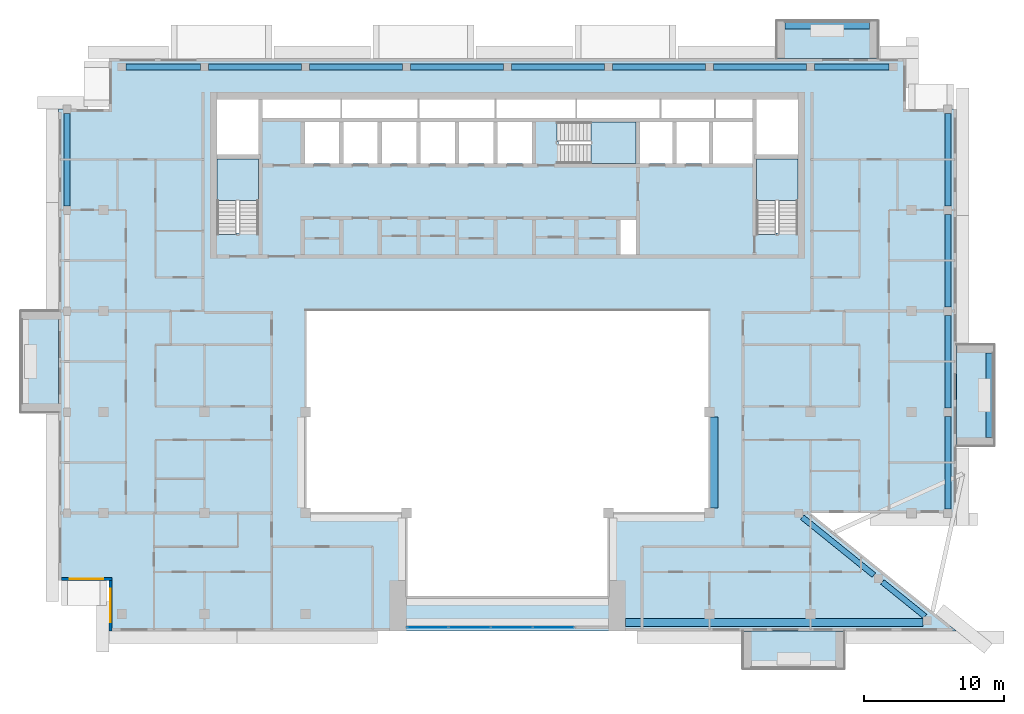
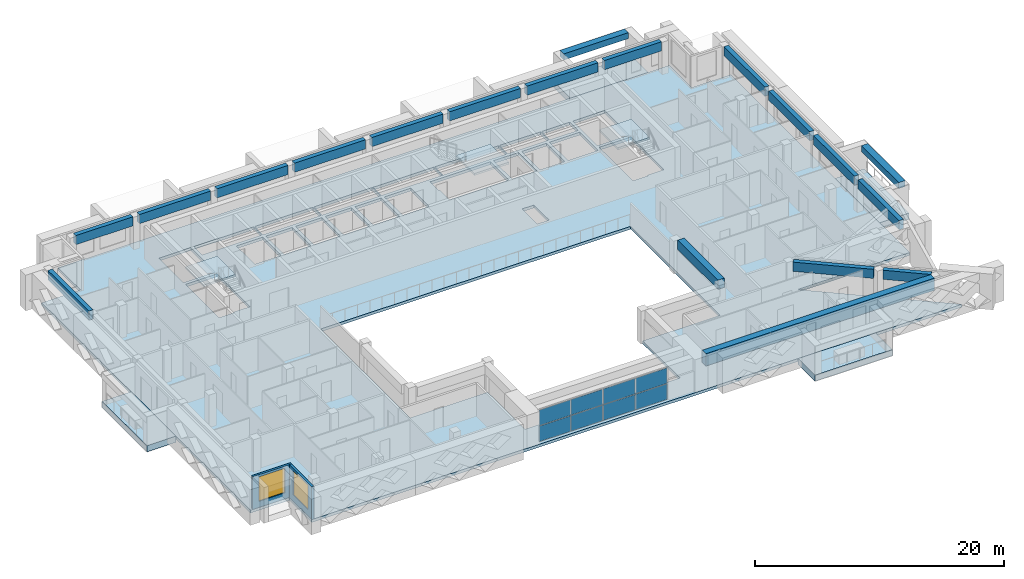
# One storey, part 5 of 19: 19 beams, 8 plates, 8 slabs, 2 walls, 2 windows, 2 openings, 4 elements without a shape of their own.
"""IFC4 building model written with IfcOpenShell, lengths in metres."""

from ifc_helpers import new_model, si_unit, direction, frame, frame_2d, origin, origin_2d, place, context, subcontext, project, spatial, polyline, rectangle, outline, extrude, source, transform, mapped, material, layer, layer_set, material_profile, profile_set, type_object, element, fill, aggregate, save


model = new_model("IFC4")

# Units and contexts
model_context = context("Model", 3, precision=1e-05, world=origin(), true_north=direction((0.0, 1.0)))
body_context = subcontext(model_context, "Body", "Model", "MODEL_VIEW")
ifc_project = project(units=[si_unit("LENGTHUNIT", "METRE"), si_unit("AREAUNIT", "SQUARE_METRE"), si_unit("VOLUMEUNIT", "CUBIC_METRE"), si_unit("PLANEANGLEUNIT", "RADIAN"), si_unit("MASSUNIT", "GRAM", prefix="KILO")], contexts=[model_context])

# Site, building, storey
site_placement = place(None, origin())
site = spatial("IfcSite", under=ifc_project, at=site_placement, CompositionType="ELEMENT")
building_placement = place(site_placement, origin())
building = spatial("IfcBuilding", under=site, at=building_placement, Name="Saffron Iwan Residences", CompositionType="ELEMENT")
storey_placement = place(building_placement, frame((0.0, 0.0, 264.0)))
storey = spatial("IfcBuildingStorey", under=building, at=storey_placement, Name="L71", CompositionType="ELEMENT", Elevation=264.0)

# Beams
ifc_material_1 = material(Name="Concrete C40/50", Category="concrete")
ifc_material_profile_1 = material_profile(ifc_material_1, rectangle(XDim=0.39990234375, YDim=0.89990234375, at=origin_2d()), Name="RC 400x900")
ifc_profile_set_1 = profile_set([ifc_material_profile_1], Name="Concrete C40/50")
beam_type_1 = type_object("IfcBeamType", Name="SPANDREL BEAM RC 400x900 C40/50 TOP 3220", PredefinedType="SPANDREL", material=ifc_profile_set_1)
shared_shape_1 = source(origin(), body_context, "Body", "SweptSolid", [
    extrude(rectangle(XDim=0.39990234375, YDim=0.89990234375, at=origin_2d()), origin(), (0.0, 0.0, 1.0), 3.91162109375),
])
beam_1_placement = place(storey_placement, frame((77.123046875, 43.0908203125, 2.77001953125), z_axis=(0.777943527056, -0.62833420145, 0.0), x_axis=(0.62833420145, 0.777943527056, 0.0)))
element("IfcBeam", 1, at=beam_1_placement, inside=storey, type_object=beam_type_1, Name="Spandrel beam", PredefinedType="SPANDREL", context=body_context, shape_type="MappedRepresentation", body=[
    mapped(shared_shape_1, transform((0.0, 0.0, 0.0))),
])
shared_shape_2 = source(origin(), body_context, "Body", "SweptSolid", [
    extrude(rectangle(XDim=0.39990234375, YDim=0.89990234375, at=origin_2d()), origin(), (0.0, 0.0, 1.0), 6.564208984375),
])
beam_2_placement = place(storey_placement, frame((71.41650390625, 47.699951171875, 2.77001953125), z_axis=(0.77793558619, -0.628344032946, 0.0), x_axis=(0.628344032946, 0.77793558619, 0.0)))
element("IfcBeam", 2, at=beam_2_placement, inside=storey, type_object=beam_type_1, Name="Spandrel beam", PredefinedType="SPANDREL", context=body_context, shape_type="MappedRepresentation", body=[
    mapped(shared_shape_2, transform((0.0, 0.0, 0.0))),
])
shared_shape_3 = source(origin(), body_context, "Body", "SweptSolid", [
    extrude(rectangle(XDim=0.39990234375, YDim=0.89990234375, at=origin_2d()), origin(), (0.0, 0.0, 1.0), 6.599853515625),
])
for number, where, z_axis, x_axis, name in (
    (3, (81.800048828125, 54.89990234375, 2.77001953125), (0.0, -1.0, 0.0), (1.0, 0.0, 0.0), "Spandrel beam"),
    (4, (29.10009765625, 79.800048828125, 2.77001953125), (1.0, 0.0, 0.0), (0.0, 1.0, 0.0), "Spandrel beam"),
    (5, (36.300048828125, 79.800048828125, 2.77001953125), (1.0, 0.0, 0.0), (0.0, 1.0, 0.0), "Spandrel beam"),
    (6, (65.10009765625, 79.800048828125, 2.77001953125), (1.0, 0.0, 0.0), (0.0, 1.0, 0.0), "Spandrel beam"),
):
    element("IfcBeam", number, at=place(storey_placement, frame(where, z_axis=z_axis, x_axis=x_axis)), inside=storey, type_object=beam_type_1, Name=name, PredefinedType="SPANDREL", context=body_context, shape_type="MappedRepresentation", body=[
        mapped(shared_shape_3, transform((0.0, 0.0, 0.0))),
    ])
shared_shape_4 = source(origin(), body_context, "Body", "SweptSolid", [
    extrude(rectangle(XDim=0.39990234375, YDim=0.89990234375, at=origin_2d()), origin(), (0.0, 0.0, 1.0), 6.60009765625),
])
for number, where, z_axis, x_axis, name in (
    (7, (81.800048828125, 62.10009765625, 2.77001953125), (0.0, -1.0, 0.0), (1.0, 0.0, 0.0), "Spandrel beam"),
    (8, (81.800048828125, 69.300048828125, 2.77001953125), (0.0, -1.0, 0.0), (1.0, 0.0, 0.0), "Spandrel beam"),
    (9, (19.0, 69.89990234375, 2.77001953125), (0.0, 1.0, 0.0), (-1.0, 0.0, 0.0), "Spandrel beam"),
    (10, (81.800048828125, 76.5, 2.77001953125), (0.0, -1.0, 0.0), (1.0, 0.0, 0.0), "Spandrel beam"),
    (11, (43.5, 79.800048828125, 2.77001953125), (1.0, 0.0, 0.0), (0.0, 1.0, 0.0), "Spandrel beam"),
    (12, (50.699951171875, 79.800048828125, 2.77001953125), (1.0, 0.0, 0.0), (0.0, 1.0, 0.0), "Spandrel beam"),
    (13, (57.89990234375, 79.800048828125, 2.77001953125), (1.0, 0.0, 0.0), (0.0, 1.0, 0.0), "Spandrel beam"),
):
    element("IfcBeam", number, at=place(storey_placement, frame(where, z_axis=z_axis, x_axis=x_axis)), inside=storey, type_object=beam_type_1, Name=name, PredefinedType="SPANDREL", context=body_context, shape_type="MappedRepresentation", body=[
        mapped(shared_shape_4, transform((0.0, 0.0, 0.0))),
    ])
shared_shape_5 = source(origin(), body_context, "Body", "SweptSolid", [
    extrude(rectangle(XDim=0.39990234375, YDim=0.89990234375, at=origin_2d()), origin(), (0.0, 0.0, 1.0), 5.300048828125),
])
for number, where, z_axis, x_axis, name in (
    (14, (23.199951171875, 79.800048828125, 2.77001953125), (1.0, 0.0, 0.0), (0.0, 1.0, 0.0), "Spandrel beam"),
    (15, (72.300048828125, 79.800048828125, 2.77001953125), (1.0, 0.0, 0.0), (0.0, 1.0, 0.0), "Spandrel beam"),
):
    element("IfcBeam", number, at=place(storey_placement, frame(where, z_axis=z_axis, x_axis=x_axis)), inside=storey, type_object=beam_type_1, Name=name, PredefinedType="SPANDREL", context=body_context, shape_type="MappedRepresentation", body=[
        mapped(shared_shape_5, transform((0.0, 0.0, 0.0))),
    ])
ifc_material_profile_2 = material_profile(ifc_material_1, rectangle(XDim=0.60009765625, YDim=1.199951171875, at=origin_2d()), Name="RC 600x1200")
ifc_profile_set_2 = profile_set([ifc_material_profile_2], Name="Concrete C40/50")
beam_type_2 = type_object("IfcBeamType", Name="LINTEL BEAM RC 600x1200 C40/50 TOP 3220", PredefinedType="LINTEL", material=ifc_profile_set_2)
shared_shape_6 = source(origin(), body_context, "Body", "SweptSolid", [
    extrude(rectangle(XDim=0.60009765625, YDim=1.199951171875, at=origin_2d()), origin(), (0.0, 0.0, 1.0), 21.2255859375),
])
beam_3_placement = place(storey_placement, frame((80.025634765625, 40.199951171875, 2.6201171875), z_axis=(-1.0, 0.0, 0.0), x_axis=(0.0, -1.0, 0.0)))
element("IfcBeam", 16, at=beam_3_placement, inside=storey, type_object=beam_type_2, Name="Lintel beam over the iwan", PredefinedType="LINTEL", context=body_context, shape_type="MappedRepresentation", body=[
    mapped(shared_shape_6, transform((0.0, 0.0, 0.0))),
])
ifc_material_profile_3 = material_profile(ifc_material_1, rectangle(XDim=0.60009765625, YDim=0.89990234375, at=origin_2d()), Name="RC 600x900")
ifc_profile_set_3 = profile_set([ifc_material_profile_3], Name="Concrete C40/50")
beam_type_3 = type_object("IfcBeamType", Name="BEAM RC 600x900 C40/50 TOP 3220", PredefinedType="BEAM", material=ifc_profile_set_3)
shared_shape_7 = source(origin(), body_context, "Body", "SweptSolid", [
    extrude(rectangle(XDim=0.60009765625, YDim=0.89990234375, at=origin_2d()), origin(), (0.0, 0.0, 1.0), 6.5),
])
beam_4_placement = place(storey_placement, frame((65.10009765625, 54.85009765625, 2.77001953125), z_axis=(0.0, -1.0, 0.0), x_axis=(1.0, 0.0, 0.0)))
element("IfcBeam", 17, at=beam_4_placement, inside=storey, type_object=beam_type_3, Name="Atrium edge beam", PredefinedType="BEAM", context=body_context, shape_type="MappedRepresentation", body=[
    mapped(shared_shape_7, transform((0.0, 0.0, 0.0))),
])
ifc_material_2 = material(Name="Concrete C50/60 white painted", Category="concrete")
ifc_material_profile_4 = material_profile(ifc_material_2, rectangle(XDim=0.60009765625, YDim=0.60009765625, at=origin_2d()), Name="BALCONY FASCIA BEAM 600 x 600")
ifc_profile_set_4 = profile_set([ifc_material_profile_4], Name="Concrete C50/60 white painted")
beam_type_4 = type_object("IfcBeamType", Name="BALCONY FASCIA BEAM 600 x 600", PredefinedType="BEAM", material=ifc_profile_set_4)
shared_shape_8 = source(origin(), body_context, "Body", "SweptSolid", [
    extrude(rectangle(XDim=0.60009765625, YDim=0.60009765625, at=origin_2d()), origin(), (0.0, 0.0, 1.0), 6.0),
])
for number, where, z_axis, x_axis, name in (
    (18, (84.800048828125, 53.39990234375, 2.550048828125), (0.0, 1.0, 0.0), (-1.0, 0.0, 0.0), "Balcony fascia beam L71 F2-0"),
    (19, (76.199951171875, 82.800048828125, 2.550048828125), (-1.0, 0.0, 0.0), (0.0, -1.0, 0.0), "Balcony fascia beam L71 F5-0"),
):
    element("IfcBeam", number, at=place(storey_placement, frame(where, z_axis=z_axis, x_axis=x_axis)), inside=storey, type_object=beam_type_4, Name=name, PredefinedType="BEAM", context=body_context, shape_type="MappedRepresentation", body=[
        mapped(shared_shape_8, transform((0.0, 0.0, 0.0))),
    ])

# Slabs
ifc_layer_1 = layer(ifc_material_2, 0.60009765625)
ifc_layer_set_1 = layer_set([ifc_layer_1], Name="Concrete C50/60 white painted")
slab_type_1 = type_object("IfcSlabType", Name="BALCONY FRAME SLAB 600", PredefinedType="FLOOR", material=ifc_layer_set_1)
slab_1_placement = place(storey_placement, frame((0.0, 0.0, -0.60009765625)))
element("IfcSlab", 20, at=slab_1_placement, inside=storey, type_object=slab_type_1, Name="Balcony frame slab L71 F2-0", PredefinedType="FLOOR", context=body_context, shape_type="SweptSolid", body=[
    extrude(outline(polyline([(85.10009765625, 52.800048828125), (85.10009765625, 60.0), (82.39990234375, 60.0), (82.39990234375, 52.800048828125), (85.10009765625, 52.800048828125)])), origin(), (0.0, 0.0, 1.0), 0.60009765625),
])
slab_2_placement = place(storey_placement, frame((0.0, 0.0, -0.60009765625)))
element("IfcSlab", 21, at=slab_2_placement, inside=storey, type_object=slab_type_1, Name="Balcony frame slab L71 F5-0", PredefinedType="FLOOR", context=body_context, shape_type="SweptSolid", body=[
    extrude(outline(polyline([(76.800048828125, 83.10009765625), (69.60009765625, 83.10009765625), (69.60009765625, 80.39990234375), (76.800048828125, 80.39990234375), (76.800048828125, 83.10009765625)])), origin(), (0.0, 0.0, 1.0), 0.60009765625),
])
slab_3_placement = place(storey_placement, frame((0.0, 0.0, -0.60009765625)))
element("IfcSlab", 22, at=slab_3_placement, inside=storey, type_object=slab_type_1, Name="Balcony frame slab L71 F8-0", PredefinedType="FLOOR", context=body_context, shape_type="SweptSolid", body=[
    extrude(outline(polyline([(15.699951171875, 62.39990234375), (15.699951171875, 55.199951171875), (18.39990234375, 55.199951171875), (18.39990234375, 62.39990234375), (15.699951171875, 62.39990234375)])), origin(), (0.0, 0.0, 1.0), 0.60009765625),
])
slab_4_placement = place(storey_placement, frame((0.0, 0.0, -0.60009765625)))
element("IfcSlab", 23, at=slab_4_placement, inside=storey, type_object=slab_type_1, Name="Balcony frame slab L71 11-1", PredefinedType="FLOOR", context=body_context, shape_type="SweptSolid", body=[
    extrude(outline(polyline([(67.199951171875, 36.89990234375), (74.39990234375, 36.89990234375), (74.39990234375, 39.60009765625), (67.199951171875, 39.60009765625), (67.199951171875, 36.89990234375)])), origin(), (0.0, 0.0, 1.0), 0.60009765625),
])
ifc_layer_2 = layer(ifc_material_1, 0.280029296875)
ifc_layer_set_2 = layer_set([ifc_layer_2], Name="Concrete C40/50")
slab_type_2 = type_object("IfcSlabType", Name="PT PLATE 280 C40/50", PredefinedType="FLOOR", material=ifc_layer_set_2)
slab_5_placement = place(storey_placement, frame((0.0, 0.0, -0.280029296875)))
element("IfcSlab", 24, at=slab_5_placement, inside=storey, type_object=slab_type_2, Name="Floor slab L71", PredefinedType="FLOOR", context=body_context, shape_type="SweptSolid", body=[
    extrude(outline(polyline([(18.39990234375, 43.199951171875), (18.39990234375, 76.800048828125), (22.0, 76.800048828125), (22.0, 80.39990234375), (78.800048828125, 80.39990234375), (78.800048828125, 76.800048828125), (82.39990234375, 76.800048828125), (82.39990234375, 48.0), (72.0, 48.0), (82.39990234375, 39.60009765625), (22.0, 39.60009765625), (22.0, 43.199951171875), (18.39990234375, 43.199951171875)]), holes=[polyline([(64.800048828125, 48.0), (64.800048828125, 62.39990234375), (36.0, 62.39990234375), (36.0, 48.0), (43.199951171875, 48.0), (43.199951171875, 42.0), (57.60009765625, 42.0), (57.60009765625, 48.0), (64.800048828125, 48.0)]), polyline([(29.699951171875, 73.25), (29.699951171875, 67.949951171875), (29.699951171875, 67.8505859375), (31.10009765625, 67.8505859375), (31.10009765625, 67.949951171875), (32.64990234375, 67.949951171875), (32.64990234375, 73.25), (29.699951171875, 73.25)]), polyline([(38.39990234375, 75.875), (35.949951171875, 75.875), (35.949951171875, 72.925048828125), (38.39990234375, 72.925048828125), (38.39990234375, 75.875)]), polyline([(41.14990234375, 75.875), (38.699951171875, 75.875), (38.699951171875, 72.925048828125), (41.14990234375, 72.925048828125), (41.14990234375, 75.875)]), polyline([(43.89990234375, 72.925048828125), (43.89990234375, 75.875), (41.449951171875, 75.875), (41.449951171875, 72.925048828125), (43.89990234375, 72.925048828125)]), polyline([(46.64990234375, 72.925048828125), (46.64990234375, 75.875), (44.199951171875, 75.875), (44.199951171875, 72.925048828125), (46.64990234375, 72.925048828125)]), polyline([(49.39990234375, 75.875), (46.949951171875, 75.875), (46.949951171875, 72.925048828125), (49.39990234375, 72.925048828125), (49.39990234375, 75.875)]), polyline([(52.14990234375, 72.925048828125), (52.14990234375, 75.875), (49.699951171875, 75.875), (49.699951171875, 72.925048828125), (52.14990234375, 72.925048828125)]), polyline([(32.64990234375, 73.550048828125), (32.64990234375, 77.5), (29.699951171875, 77.5), (29.699951171875, 73.550048828125), (32.64990234375, 73.550048828125)]), polyline([(38.5, 77.5), (32.949951171875, 77.5), (32.949951171875, 76.175048828125), (38.5, 76.175048828125), (38.5, 77.5)]), polyline([(44.0, 76.175048828125), (44.0, 77.5), (38.60009765625, 77.5), (38.60009765625, 76.175048828125), (44.0, 76.175048828125)]), polyline([(49.5, 76.175048828125), (49.5, 77.5), (44.10009765625, 77.5), (44.10009765625, 76.175048828125), (49.5, 76.175048828125)]), polyline([(59.550048828125, 68.875), (58.449951171875, 68.875), (58.449951171875, 66.449951171875), (59.550048828125, 66.449951171875), (59.550048828125, 68.875)]), polyline([(68.14990234375, 73.25), (68.14990234375, 67.949951171875), (68.14990234375, 67.8505859375), (69.550048828125, 67.8505859375), (69.550048828125, 67.949951171875), (71.10009765625, 67.949951171875), (71.10009765625, 73.25), (68.14990234375, 73.25)]), polyline([(54.02490234375, 74.47509765625), (54.02490234375, 72.925048828125), (59.550048828125, 72.925048828125), (59.550048828125, 75.875), (54.02490234375, 75.875), (53.925537109375, 75.875), (53.925537109375, 74.47509765625), (54.02490234375, 74.47509765625)]), polyline([(62.14990234375, 72.925048828125), (62.14990234375, 75.875), (59.85009765625, 75.875), (59.85009765625, 72.925048828125), (62.14990234375, 72.925048828125)]), polyline([(64.75, 72.925048828125), (64.75, 75.875), (62.449951171875, 75.875), (62.449951171875, 72.925048828125), (64.75, 72.925048828125)]), polyline([(67.85009765625, 75.875), (65.050048828125, 75.875), (65.050048828125, 72.925048828125), (67.85009765625, 72.925048828125), (67.85009765625, 75.875)]), polyline([(71.10009765625, 73.550048828125), (71.10009765625, 77.5), (68.14990234375, 77.5), (68.14990234375, 73.550048828125), (71.10009765625, 73.550048828125)]), polyline([(55.25, 76.175048828125), (55.25, 77.5), (49.60009765625, 77.5), (49.60009765625, 76.175048828125), (55.25, 76.175048828125)]), polyline([(61.25, 77.5), (55.35009765625, 77.5), (55.35009765625, 76.175048828125), (61.25, 76.175048828125), (61.25, 77.5)]), polyline([(65.14990234375, 76.175048828125), (65.14990234375, 77.5), (61.35009765625, 77.5), (61.35009765625, 76.175048828125), (65.14990234375, 76.175048828125)]), polyline([(67.85009765625, 76.175048828125), (67.85009765625, 77.5), (65.25, 77.5), (65.25, 76.175048828125), (67.85009765625, 76.175048828125)])]), origin(), (0.0, 0.0, 1.0), 0.280029296875),
])

# Stair, slab
ifc_material_3 = material(Name="Concrete C50/60", Category="concrete")
stair_type = type_object("IfcStairType", Name="Stair ST-CORE", PredefinedType="HALF_TURN_STAIR", material=ifc_material_3)
stair_1_placement = place(storey_placement, origin())
stair_1 = element("IfcStair", 25, at=stair_1_placement, inside=storey, type_object=stair_type, Name="L71 Exit Stair ST-W", PredefinedType="HALF_TURN_STAIR")
ifc_layer_3 = layer(ifc_material_3, 0.199951171875)
ifc_layer_set_3 = layer_set([ifc_layer_3], Name="Concrete C50/60")
slab_type_3 = type_object("IfcSlabType", Name="Stair landing SL-RC", PredefinedType="LANDING", material=ifc_layer_set_3)
slab_6_placement = place(storey_placement, frame((0.0, 0.0, 1.5498046875)))
slab_6 = element("IfcSlab", 26, at=slab_6_placement, type_object=slab_type_3, Name="ST-W landing 1", PredefinedType="LANDING", context=body_context, shape_type="SweptSolid", body=[
    extrude(outline(polyline([(32.64990234375, 70.280029296875), (32.64990234375, 73.25), (29.699951171875, 73.25), (29.699951171875, 70.280029296875), (32.64990234375, 70.280029296875)])), origin(), (0.0, 0.0, 1.0), 0.2001953125),
])
aggregate(stair_1, [slab_6])

stair_2_placement = place(storey_placement, origin())
stair_2 = element("IfcStair", 27, at=stair_2_placement, inside=storey, type_object=stair_type, Name="L71 Exit Stair ST-C", PredefinedType="HALF_TURN_STAIR")
slab_7_placement = place(storey_placement, frame((0.0, 0.0, 1.5498046875)))
slab_7 = element("IfcSlab", 28, at=slab_7_placement, type_object=slab_type_3, Name="ST-C landing 1", PredefinedType="LANDING", context=body_context, shape_type="SweptSolid", body=[
    extrude(outline(polyline([(56.35498046875, 72.925048828125), (59.550048828125, 72.925048828125), (59.550048828125, 75.875), (56.35498046875, 75.875), (56.35498046875, 72.925048828125)])), origin(), (0.0, 0.0, 1.0), 0.2001953125),
])
aggregate(stair_2, [slab_7])

stair_3_placement = place(storey_placement, origin())
stair_3 = element("IfcStair", 29, at=stair_3_placement, inside=storey, type_object=stair_type, Name="L71 Exit Stair ST-E", PredefinedType="HALF_TURN_STAIR")
slab_8_placement = place(storey_placement, frame((0.0, 0.0, 1.5498046875)))
slab_8 = element("IfcSlab", 30, at=slab_8_placement, type_object=slab_type_3, Name="ST-E landing 1", PredefinedType="LANDING", context=body_context, shape_type="SweptSolid", body=[
    extrude(outline(polyline([(71.10009765625, 70.280029296875), (71.10009765625, 73.25), (68.14990234375, 73.25), (68.14990234375, 70.280029296875), (71.10009765625, 70.280029296875)])), origin(), (0.0, 0.0, 1.0), 0.2001953125),
])
aggregate(stair_3, [slab_8])

# Curtain wall, plates
ifc_material_4 = material(Name="Clear glass, laminated double glazed", Category="glass")
ifc_layer_4 = layer(ifc_material_4, 0.199951171875)
ifc_layer_set_4 = layer_set([ifc_layer_4], Name="Clear glass, laminated double glazed")
curtain_wall_type = type_object("IfcCurtainWallType", Name="CW-B IWAN PORTAL", PredefinedType="NOTDEFINED", material=ifc_layer_set_4)
curtain_wall_placement = place(storey_placement, origin())
curtain_wall = element("IfcCurtainWall", 31, at=curtain_wall_placement, inside=storey, type_object=curtain_wall_type, Name="Iwan portal glazing L71.1", PredefinedType="NOTDEFINED")
ifc_layer_5 = layer(ifc_material_4, 0.028076171875)
ifc_layer_set_5 = layer_set([ifc_layer_5], Name="Clear glass, laminated double glazed")
plate_type = type_object("IfcPlateType", Name="CW-B PANEL 28", PredefinedType="CURTAIN_PANEL", material=ifc_layer_set_5)
shared_shape_9 = source(origin(), body_context, "Body", "SweptSolid", [
    extrude(rectangle(XDim=2.909912109375, YDim=0.028076171875, at=origin_2d()), origin(), (0.0, 0.0, 1.0), 1.52001953125),
])
plate_1_placement = place(storey_placement, frame((44.715087890625, 39.85009765625, 0.06005859375), z_axis=(0.0, 0.0, 1.0), x_axis=(1.0, 0.0, 0.0)))
plate_1 = element("IfcPlate", 32, at=plate_1_placement, type_object=plate_type, Name="CW-B panel 1.1", PredefinedType="CURTAIN_PANEL", context=body_context, shape_type="MappedRepresentation", body=[
    mapped(shared_shape_9, transform((0.0, 0.0, 0.0))),
])
plate_2_placement = place(storey_placement, frame((44.715087890625, 39.85009765625, 1.639892578125), z_axis=(0.0, 0.0, 1.0), x_axis=(1.0, 0.0, 0.0)))
plate_2 = element("IfcPlate", 33, at=plate_2_placement, type_object=plate_type, Name="CW-B panel 1.2", PredefinedType="CURTAIN_PANEL", context=body_context, shape_type="MappedRepresentation", body=[
    mapped(shared_shape_9, transform((0.0, 0.0, 0.0))),
])
plate_3_placement = place(storey_placement, frame((53.68505859375, 39.85009765625, 0.06005859375), z_axis=(0.0, 0.0, 1.0), x_axis=(1.0, 0.0, 0.0)))
plate_3 = element("IfcPlate", 34, at=plate_3_placement, type_object=plate_type, Name="CW-B panel 4.1", PredefinedType="CURTAIN_PANEL", context=body_context, shape_type="MappedRepresentation", body=[
    mapped(shared_shape_9, transform((0.0, 0.0, 0.0))),
])
plate_4_placement = place(storey_placement, frame((53.68505859375, 39.85009765625, 1.639892578125), z_axis=(0.0, 0.0, 1.0), x_axis=(1.0, 0.0, 0.0)))
plate_4 = element("IfcPlate", 35, at=plate_4_placement, type_object=plate_type, Name="CW-B panel 4.2", PredefinedType="CURTAIN_PANEL", context=body_context, shape_type="MappedRepresentation", body=[
    mapped(shared_shape_9, transform((0.0, 0.0, 0.0))),
])
shared_shape_10 = source(origin(), body_context, "Body", "SweptSolid", [
    extrude(rectangle(XDim=2.93994140625, YDim=0.028076171875, at=origin_2d()), origin(), (0.0, 0.0, 1.0), 1.52001953125),
])
plate_5_placement = place(storey_placement, frame((47.699951171875, 39.85009765625, 0.06005859375), z_axis=(0.0, 0.0, 1.0), x_axis=(1.0, 0.0, 0.0)))
plate_5 = element("IfcPlate", 36, at=plate_5_placement, type_object=plate_type, Name="CW-B panel 2.1", PredefinedType="CURTAIN_PANEL", context=body_context, shape_type="MappedRepresentation", body=[
    mapped(shared_shape_10, transform((0.0, 0.0, 0.0))),
])
plate_6_placement = place(storey_placement, frame((47.699951171875, 39.85009765625, 1.639892578125), z_axis=(0.0, 0.0, 1.0), x_axis=(1.0, 0.0, 0.0)))
plate_6 = element("IfcPlate", 37, at=plate_6_placement, type_object=plate_type, Name="CW-B panel 2.2", PredefinedType="CURTAIN_PANEL", context=body_context, shape_type="MappedRepresentation", body=[
    mapped(shared_shape_10, transform((0.0, 0.0, 0.0))),
])
plate_7_placement = place(storey_placement, frame((50.699951171875, 39.85009765625, 0.06005859375), z_axis=(0.0, 0.0, 1.0), x_axis=(1.0, 0.0, 0.0)))
plate_7 = element("IfcPlate", 38, at=plate_7_placement, type_object=plate_type, Name="CW-B panel 3.1", PredefinedType="CURTAIN_PANEL", context=body_context, shape_type="MappedRepresentation", body=[
    mapped(shared_shape_10, transform((0.0, 0.0, 0.0))),
])
plate_8_placement = place(storey_placement, frame((50.699951171875, 39.85009765625, 1.639892578125), z_axis=(0.0, 0.0, 1.0), x_axis=(1.0, 0.0, 0.0)))
plate_8 = element("IfcPlate", 39, at=plate_8_placement, type_object=plate_type, Name="CW-B panel 3.2", PredefinedType="CURTAIN_PANEL", context=body_context, shape_type="MappedRepresentation", body=[
    mapped(shared_shape_10, transform((0.0, 0.0, 0.0))),
])
aggregate(curtain_wall, [plate_1, plate_2, plate_5, plate_6, plate_7, plate_8, plate_3, plate_4])

# Wall, opening, window
ifc_layer_6 = layer(ifc_material_1, 0.199951171875)
ifc_layer_set_6 = layer_set([ifc_layer_6], Name="Concrete C40/50")
wall_type = type_object("IfcWallType", Name="EXTERNAL WALL 200", PredefinedType="SOLIDWALL", material=ifc_layer_set_6)
wall_1_placement = place(storey_placement, frame((18.60009765625, 43.300048828125, 0.0), z_axis=(0.0, 0.0, 1.0), x_axis=(1.0, 0.0, 0.0)))
wall_1 = element("IfcWall", 40, at=wall_1_placement, inside=storey, type_object=wall_type, Name="External wall L71 F9.0", PredefinedType="SOLIDWALL", context=body_context, shape_type="SweptSolid", body=[
    extrude(rectangle(XDim=3.599853515625, YDim=0.199951171875, at=frame_2d((1.7998046875, 0.0))), origin(), (0.0, 0.0, 1.0), 3.219970703125),
])
opening_1_placement = place(wall_1_placement, frame((0.60009765625, 0.0, 0.60009765625)))
opening_1 = element("IfcOpeningElement", 41, at=opening_1_placement, cuts=wall_1, Name="Opening W1", PredefinedType="OPENING", context=body_context, shape_type="SweptSolid", body=[
    extrude(rectangle(XDim=2.39990234375, YDim=2.39990234375, at=frame_2d((1.199951171875, 1.199951171875))), frame((0.0, 0.10986328125, 0.0), z_axis=(0.0, -1.0, 0.0), x_axis=(1.0, 0.0, 0.0)), (0.0, 0.0, 1.0), 0.219970703125),
])
window_type = type_object("IfcWindowType", Name="WINDOW 2400 x 2400", PartitioningType="DOUBLE_PANEL_VERTICAL", PredefinedType="WINDOW", material=ifc_material_4)
window_1_placement = place(opening_1_placement, origin())
window_1 = element("IfcWindow", 42, at=window_1_placement, inside=storey, type_object=window_type, Name="Window L71 F9.0", OverallHeight=2.39990234375, OverallWidth=2.39990234375, PartitioningType="DOUBLE_PANEL_VERTICAL", PredefinedType="WINDOW", context=body_context, shape_type="SweptSolid", body=[
    extrude(rectangle(XDim=2.39990234375, YDim=2.39990234375, at=frame_2d((1.199951171875, 1.199951171875))), frame((0.0, 0.030029296875, 0.0), z_axis=(0.0, -1.0, 0.0), x_axis=(1.0, 0.0, 0.0)), (0.0, 0.0, 1.0), 0.06005859375),
])
fill(opening_1, window_1)

wall_2_placement = place(storey_placement, frame((22.10009765625, 43.199951171875, 0.0), z_axis=(0.0, 0.0, 1.0), x_axis=(0.0, -1.0, 0.0)))
wall_2 = element("IfcWall", 43, at=wall_2_placement, inside=storey, type_object=wall_type, Name="External wall L71 F10.0", PredefinedType="SOLIDWALL", context=body_context, shape_type="SweptSolid", body=[
    extrude(rectangle(XDim=3.599853515625, YDim=0.199951171875, at=frame_2d((1.7998046875, 0.0))), origin(), (0.0, 0.0, 1.0), 3.219970703125),
])
opening_2_placement = place(wall_2_placement, frame((0.60009765625, 0.0, 0.60009765625)))
opening_2 = element("IfcOpeningElement", 44, at=opening_2_placement, cuts=wall_2, Name="Opening W1", PredefinedType="OPENING", context=body_context, shape_type="SweptSolid", body=[
    extrude(rectangle(XDim=2.39990234375, YDim=2.39990234375, at=frame_2d((1.199951171875, 1.199951171875))), frame((0.0, 0.10986328125, 0.0), z_axis=(0.0, -1.0, 0.0), x_axis=(1.0, 0.0, 0.0)), (0.0, 0.0, 1.0), 0.219970703125),
])
window_2_placement = place(opening_2_placement, origin())
window_2 = element("IfcWindow", 45, at=window_2_placement, inside=storey, type_object=window_type, Name="Window L71 F10.0", OverallHeight=2.39990234375, OverallWidth=2.39990234375, PartitioningType="DOUBLE_PANEL_VERTICAL", PredefinedType="WINDOW", context=body_context, shape_type="SweptSolid", body=[
    extrude(rectangle(XDim=2.39990234375, YDim=2.39990234375, at=frame_2d((1.199951171875, 1.199951171875))), frame((0.0, 0.030029296875, 0.0), z_axis=(0.0, -1.0, 0.0), x_axis=(1.0, 0.0, 0.0)), (0.0, 0.0, 1.0), 0.06005859375),
])
fill(opening_2, window_2)

save(model, "model.ifc")
